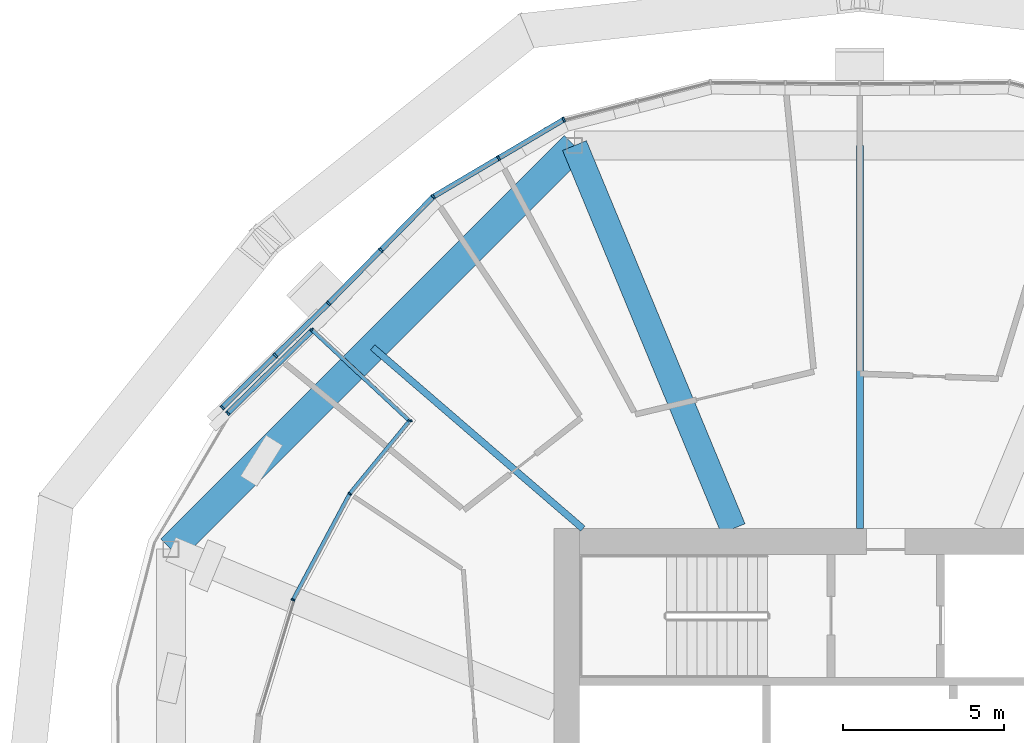
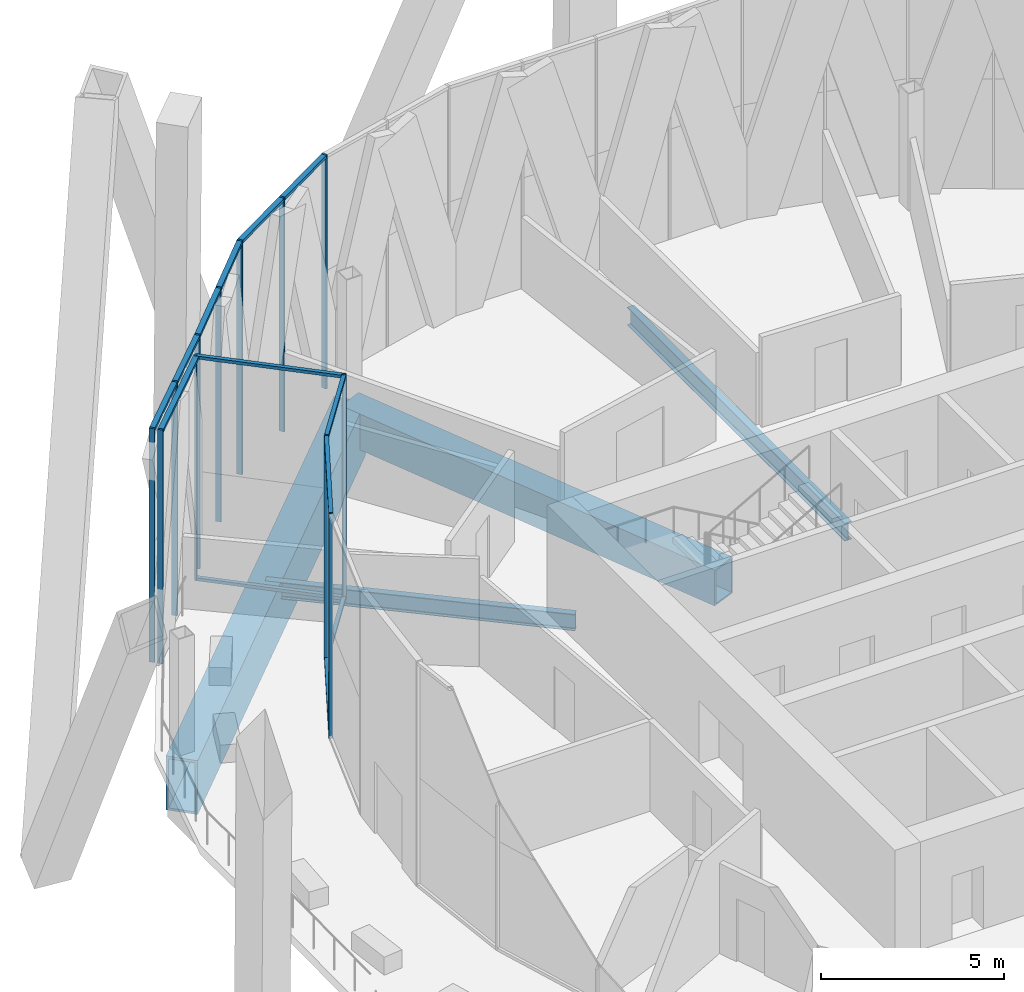
# One storey, part 7 of 30: 25 members, 4 beams, 4 elements without a shape of their own.
"""IFC4 building model written with IfcOpenShell, lengths in metres."""

from ifc_helpers import new_model, si_unit, direction, frame, origin, origin_2d, place, context, subcontext, project, spatial, rectangle, hollow_rectangle, i_section, extrude, material, material_profile, profile_set, type_object, element, aggregate, save


model = new_model("IFC4")

# Units and contexts
model_context = context("Model", 3, precision=1e-05, world=origin(), true_north=direction((0.0, 1.0)))
body_context = subcontext(model_context, "Body", "Model", "MODEL_VIEW")
ifc_project = project(units=[si_unit("LENGTHUNIT", "METRE"), si_unit("AREAUNIT", "SQUARE_METRE"), si_unit("VOLUMEUNIT", "CUBIC_METRE"), si_unit("PLANEANGLEUNIT", "RADIAN"), si_unit("MASSUNIT", "GRAM", prefix="KILO")], contexts=[model_context])

# Site, building, storey
site_placement = place(None, origin())
site = spatial("IfcSite", under=ifc_project, at=site_placement, CompositionType="ELEMENT")
building_placement = place(site_placement, origin())
building = spatial("IfcBuilding", under=site, at=building_placement, Name="Ogive Gate Towers", CompositionType="ELEMENT")
storey_placement = place(building_placement, frame((0.0, 0.0, 99.60009765625)))
storey = spatial("IfcBuildingStorey", under=building, at=storey_placement, Name="L23", CompositionType="ELEMENT", Elevation=99.60009765625)

# Beams
ifc_material_1 = material(Name="Steel SM460", Category="steel")
ifc_material_profile_1 = material_profile(ifc_material_1, hollow_rectangle(XDim=0.89990234375, YDim=1.800048828125, WallThickness=0.080078125, at=origin_2d()), Name="BX 1800x900x80")
ifc_profile_set_1 = profile_set([ifc_material_profile_1], Name="Steel SM460")
beam_type_1 = type_object("IfcBeamType", Name="Edge girder BX 1800x900x80", PredefinedType="BEAM", material=ifc_profile_set_1)
beam_1_placement = place(storey_placement, frame((-44.863037109375, 21.39697265625, -1.2001953125), z_axis=(-0.707106781187, -0.707106781187, 0.0), x_axis=(0.707106781187, -0.707106781187, 0.0)))
element("IfcBeam", 1, at=beam_1_placement, inside=storey, type_object=beam_type_1, Name="T1/L23/SBM023", PredefinedType="BEAM", context=body_context, shape_type="SweptSolid", body=[
    extrude(hollow_rectangle(XDim=0.89990234375, YDim=1.800048828125, WallThickness=0.080078125, at=origin_2d()), origin(), (0.0, 0.0, 1.0), 17.7255859375),
])
ifc_material_2 = material(Name="Steel SM355", Category="steel")
ifc_material_profile_2 = material_profile(ifc_material_2, i_section(OverallWidth=0.2099609375, OverallDepth=0.550048828125, WebThickness=0.010986328125, FlangeThickness=0.01708984375, FilletRadius=0.02392578125, at=origin_2d()), Name="IPE 550")
ifc_profile_set_2 = profile_set([ifc_material_profile_2], Name="Steel SM355")
beam_type_2 = type_object("IfcBeamType", Name="Radial floor beam IPE 550", PredefinedType="BEAM", material=ifc_profile_set_2)
beam_2_placement = place(storey_placement, frame((-44.60009765625, 9.5, -0.5751953125), z_axis=(-0.757366499315, 0.652990034928, 0.0), x_axis=(-0.652990034928, -0.757366499315, 0.0)))
element("IfcBeam", 2, at=beam_2_placement, inside=storey, type_object=beam_type_2, Name="T1/L23/SBM014", PredefinedType="BEAM", context=body_context, shape_type="SweptSolid", body=[
    extrude(i_section(OverallWidth=0.2099609375, OverallDepth=0.550048828125, WebThickness=0.010986328125, FlangeThickness=0.01708984375, FilletRadius=0.02392578125, at=origin_2d()), origin(), (0.0, 0.0, 1.0), 8.62158203125),
])
ifc_material_profile_3 = material_profile(ifc_material_2, i_section(OverallWidth=0.219970703125, OverallDepth=0.60009765625, WebThickness=0.011962890625, FlangeThickness=0.01904296875, FilletRadius=0.02392578125, at=origin_2d()), Name="IPE 600")
ifc_profile_set_3 = profile_set([ifc_material_profile_3], Name="Steel SM355")
beam_type_3 = type_object("IfcBeamType", Name="Radial floor beam IPE 600", PredefinedType="BEAM", material=ifc_profile_set_3)
beam_3_placement = place(storey_placement, frame((-36.0, 9.5, -0.60009765625), z_axis=(0.0, 1.0, 0.0), x_axis=(-1.0, 0.0, 0.0)))
element("IfcBeam", 3, at=beam_3_placement, inside=storey, type_object=beam_type_3, Name="T1/L23/SBM012", PredefinedType="BEAM", context=body_context, shape_type="SweptSolid", body=[
    extrude(i_section(OverallWidth=0.219970703125, OverallDepth=0.60009765625, WebThickness=0.011962890625, FlangeThickness=0.01904296875, FilletRadius=0.02392578125, at=origin_2d()), origin(), (0.0, 0.0, 1.0), 11.89697265625),
])

# Curtain wall, members
ifc_material_3 = material(Name="Pale metal aluminium", Category="aluminium")
curtain_wall_type_1 = type_object("IfcCurtainWallType", Name="Sky garden glazing", PredefinedType="NOTDEFINED", material=ifc_material_3)
curtain_wall_1_placement = place(storey_placement, origin())
curtain_wall_1 = element("IfcCurtainWall", 4, at=curtain_wall_1_placement, inside=storey, type_object=curtain_wall_type_1, Name="CW4 T1 ECW01", PredefinedType="NOTDEFINED")
ifc_material_profile_4 = material_profile(ifc_material_3, rectangle(XDim=0.1201171875, YDim=0.050048828125, at=origin_2d()), Name="50 x 120 aluminium box")
ifc_profile_set_4 = profile_set([ifc_material_profile_4], Name="Pale metal aluminium")
member_type_1 = type_object("IfcMemberType", Name="Sky garden glazing mullion 50 x 120", PredefinedType="MULLION", material=ifc_profile_set_4)
member_1_placement = place(storey_placement, frame((-53.600341796875, 7.290283203125, 0.0), z_axis=(0.0, 0.0, 1.0), x_axis=(0.923879532511, -0.382683432365, 0.0)))
member_1 = element("IfcMember", 5, at=member_1_placement, type_object=member_type_1, Name="CW4 mullion", PredefinedType="MULLION", context=body_context, shape_type="SweptSolid", body=[
    extrude(rectangle(XDim=0.1201171875, YDim=0.050048828125, at=origin_2d()), origin(), (0.0, 0.0, 1.0), 7.5),
])
member_2_placement = place(storey_placement, frame((-51.83984375, 10.583984375, 0.0), z_axis=(0.0, 0.0, 1.0), x_axis=(0.831469612303, -0.55557023302, 0.0)))
member_2 = element("IfcMember", 6, at=member_2_placement, type_object=member_type_1, Name="CW4 mullion", PredefinedType="MULLION", context=body_context, shape_type="SweptSolid", body=[
    extrude(rectangle(XDim=0.1201171875, YDim=0.050048828125, at=origin_2d()), origin(), (0.0, 0.0, 1.0), 7.5),
])
member_3_placement = place(storey_placement, frame((-49.967529296875, 12.848388671875, 0.0), z_axis=(0.0, 0.0, 1.0), x_axis=(0.997787566035, 0.066482877996, 0.0)))
member_3 = element("IfcMember", 7, at=member_3_placement, type_object=member_type_1, Name="CW4 mullion", PredefinedType="MULLION", context=body_context, shape_type="SweptSolid", body=[
    extrude(rectangle(XDim=0.1201171875, YDim=0.050048828125, at=origin_2d()), origin(), (0.0, 0.0, 1.0), 7.5),
])
member_4_placement = place(storey_placement, frame((-53.016357421875, 15.676513671875, 0.0), z_axis=(0.0, 0.0, 1.0), x_axis=(0.681998360062, 0.731353701619, 0.0)))
member_4 = element("IfcMember", 8, at=member_4_placement, type_object=member_type_1, Name="CW4 mullion", PredefinedType="MULLION", context=body_context, shape_type="SweptSolid", body=[
    extrude(rectangle(XDim=0.1201171875, YDim=0.050048828125, at=origin_2d()), origin(), (0.0, 0.0, 1.0), 7.5),
])
ifc_material_profile_5 = material_profile(ifc_material_3, rectangle(XDim=0.1201171875, YDim=0.10009765625, at=origin_2d()), Name="100 x 120 aluminium box")
ifc_profile_set_5 = profile_set([ifc_material_profile_5], Name="Pale metal aluminium")
member_type_2 = type_object("IfcMemberType", Name="Sky garden glazing transom 100 x 120", PredefinedType="USERDEFINED", material=ifc_profile_set_5)
member_5_placement = place(storey_placement, frame((-53.5869140625, 7.31591796875, 7.449951171875), z_axis=(0.471377271187, 0.881931668673, 0.0), x_axis=(-0.881931668673, 0.471377271187, 0.0)))
member_5 = element("IfcMember", 9, at=member_5_placement, type_object=member_type_2, Name="CW4 transom", ObjectType="TRANSOM", PredefinedType="USERDEFINED", context=body_context, shape_type="SweptSolid", body=[
    extrude(rectangle(XDim=0.1201171875, YDim=0.10009765625, at=origin_2d()), origin(), (0.0, 0.0, 1.0), 3.6767578125),
])
member_6_placement = place(storey_placement, frame((-53.5869140625, 7.31591796875, 0.0498046875), z_axis=(0.471377271187, 0.881931668673, 0.0), x_axis=(-0.881931668673, 0.471377271187, 0.0)))
member_6 = element("IfcMember", 10, at=member_6_placement, type_object=member_type_2, Name="CW4 transom", ObjectType="TRANSOM", PredefinedType="USERDEFINED", context=body_context, shape_type="SweptSolid", body=[
    extrude(rectangle(XDim=0.1201171875, YDim=0.10009765625, at=origin_2d()), origin(), (0.0, 0.0, 1.0), 3.6767578125),
])
member_7_placement = place(storey_placement, frame((-51.82177734375, 10.6064453125, 7.449951171875), z_axis=(0.634401412295, 0.773003782706, 0.0), x_axis=(-0.773003782706, 0.634401412295, 0.0)))
member_7 = element("IfcMember", 11, at=member_7_placement, type_object=member_type_2, Name="CW4 transom", ObjectType="TRANSOM", PredefinedType="USERDEFINED", context=body_context, shape_type="SweptSolid", body=[
    extrude(rectangle(XDim=0.1201171875, YDim=0.10009765625, at=origin_2d()), origin(), (0.0, 0.0, 1.0), 2.91162109375),
])
member_8_placement = place(storey_placement, frame((-51.82177734375, 10.6064453125, 0.0498046875), z_axis=(0.634401412295, 0.773003782706, 0.0), x_axis=(-0.773003782706, 0.634401412295, 0.0)))
member_8 = element("IfcMember", 12, at=member_8_placement, type_object=member_type_2, Name="CW4 transom", ObjectType="TRANSOM", PredefinedType="USERDEFINED", context=body_context, shape_type="SweptSolid", body=[
    extrude(rectangle(XDim=0.1201171875, YDim=0.10009765625, at=origin_2d()), origin(), (0.0, 0.0, 1.0), 2.91162109375),
])
member_9_placement = place(storey_placement, frame((-49.973388671875, 12.8388671875, 7.449951171875), z_axis=(-0.731351622914, 0.682000589194, 0.0), x_axis=(-0.682000589194, -0.731351622914, 0.0)))
member_9 = element("IfcMember", 13, at=member_9_placement, type_object=member_type_2, Name="CW4 transom", ObjectType="TRANSOM", PredefinedType="USERDEFINED", context=body_context, shape_type="SweptSolid", body=[
    extrude(rectangle(XDim=0.1201171875, YDim=0.10009765625, at=origin_2d()), origin(), (0.0, 0.0, 1.0), 4.1357421875),
])
member_10_placement = place(storey_placement, frame((-49.973388671875, 12.8388671875, 0.0498046875), z_axis=(-0.731351622914, 0.682000589194, 0.0), x_axis=(-0.682000589194, -0.731351622914, 0.0)))
member_10 = element("IfcMember", 14, at=member_10_placement, type_object=member_type_2, Name="CW4 transom", ObjectType="TRANSOM", PredefinedType="USERDEFINED", context=body_context, shape_type="SweptSolid", body=[
    extrude(rectangle(XDim=0.1201171875, YDim=0.10009765625, at=origin_2d()), origin(), (0.0, 0.0, 1.0), 4.1357421875),
])
aggregate(curtain_wall_1, [member_1, member_2, member_5, member_6, member_3, member_7, member_8, member_4, member_9, member_10])

curtain_wall_type_2 = type_object("IfcCurtainWallType", Name="Tower unitised wall, low zone", PredefinedType="NOTDEFINED", material=ifc_material_3)
curtain_wall_2_placement = place(storey_placement, origin())
curtain_wall_2 = element("IfcCurtainWall", 15, at=curtain_wall_2_placement, inside=storey, type_object=curtain_wall_type_2, Name="CW1 T1 ECW05", PredefinedType="NOTDEFINED")
ifc_material_profile_6 = material_profile(ifc_material_3, rectangle(XDim=0.159912109375, YDim=0.06005859375, at=origin_2d()), Name="60 x 160 aluminium box")
ifc_profile_set_6 = profile_set([ifc_material_profile_6], Name="Pale metal aluminium")
member_type_3 = type_object("IfcMemberType", Name="Tower unitised wall, low zone mullion 60 x 160", PredefinedType="MULLION", material=ifc_profile_set_6)
member_11_placement = place(storey_placement, frame((-52.4970703125, 16.49658203125, -0.300048828125), z_axis=(0.0, 0.0, 1.0), x_axis=(0.713849613797, -0.700299028189, 0.0)))
member_11 = element("IfcMember", 16, at=member_11_placement, type_object=member_type_3, Name="CW1 mullion", PredefinedType="MULLION", context=body_context, shape_type="SweptSolid", body=[
    extrude(rectangle(XDim=0.159912109375, YDim=0.06005859375, at=origin_2d()), origin(), (0.0, 0.0, 1.0), 7.800048828125),
])
member_12_placement = place(storey_placement, frame((-50.873046875, 18.152099609375, -0.300048828125), z_axis=(0.0, 0.0, 1.0), x_axis=(0.713849613797, -0.700299028189, 0.0)))
member_12 = element("IfcMember", 17, at=member_12_placement, type_object=member_type_3, Name="CW1 mullion", PredefinedType="MULLION", context=body_context, shape_type="SweptSolid", body=[
    extrude(rectangle(XDim=0.159912109375, YDim=0.06005859375, at=origin_2d()), origin(), (0.0, 0.0, 1.0), 7.800048828125),
])
member_13_placement = place(storey_placement, frame((-49.2470703125, 19.809326171875, -0.300048828125), z_axis=(0.0, 0.0, 1.0), x_axis=(0.616458855912, -0.787387121413, 0.0)))
member_13 = element("IfcMember", 18, at=member_13_placement, type_object=member_type_3, Name="CW1 mullion", PredefinedType="MULLION", context=body_context, shape_type="SweptSolid", body=[
    extrude(rectangle(XDim=0.159912109375, YDim=0.06005859375, at=origin_2d()), origin(), (0.0, 0.0, 1.0), 7.800048828125),
])
member_14_placement = place(storey_placement, frame((-47.221923828125, 21.005615234375, -0.300048828125), z_axis=(0.0, 0.0, 1.0), x_axis=(0.508545579527, -0.86103507103, 0.0)))
member_14 = element("IfcMember", 19, at=member_14_placement, type_object=member_type_3, Name="CW1 mullion", PredefinedType="MULLION", context=body_context, shape_type="SweptSolid", body=[
    extrude(rectangle(XDim=0.159912109375, YDim=0.06005859375, at=origin_2d()), origin(), (0.0, 0.0, 1.0), 7.800048828125),
])
member_15_placement = place(storey_placement, frame((-45.1962890625, 22.201904296875, -0.300048828125), z_axis=(0.0, 0.0, 1.0), x_axis=(0.382683432365, -0.923879532511, 0.0)))
member_15 = element("IfcMember", 20, at=member_15_placement, type_object=member_type_3, Name="CW1 mullion", PredefinedType="MULLION", context=body_context, shape_type="SweptSolid", body=[
    extrude(rectangle(XDim=0.159912109375, YDim=0.06005859375, at=origin_2d()), origin(), (0.0, 0.0, 1.0), 7.800048828125),
])

# Curtain wall, member
curtain_wall_3_placement = place(storey_placement, origin())
curtain_wall_3 = element("IfcCurtainWall", 21, at=curtain_wall_3_placement, inside=storey, type_object=curtain_wall_type_2, Name="CW1 T1 ECW06", PredefinedType="NOTDEFINED")
member_16_placement = place(storey_placement, frame((-55.630126953125, 13.0869140625, -0.300048828125), z_axis=(0.0, 0.0, 1.0), x_axis=(-0.700286569056, 0.713861836212, 0.0)))
member_16 = element("IfcMember", 22, at=member_16_placement, type_object=member_type_3, Name="CW1 mullion", PredefinedType="MULLION", context=body_context, shape_type="SweptSolid", body=[
    extrude(rectangle(XDim=0.159912109375, YDim=0.06005859375, at=origin_2d()), origin(), (0.0, 0.0, 1.0), 7.800048828125),
])

# Curtain wall, members
curtain_wall_4_placement = place(storey_placement, origin())
curtain_wall_4 = element("IfcCurtainWall", 23, at=curtain_wall_4_placement, inside=storey, type_object=curtain_wall_type_2, Name="CW1 T1 ECW06b", PredefinedType="NOTDEFINED")
member_17_placement = place(storey_placement, frame((-55.798095703125, 13.25830078125, -0.300048828125), z_axis=(0.0, 0.0, 1.0), x_axis=(0.70026165015, -0.71388628039, 0.0)))
member_17 = element("IfcMember", 24, at=member_17_placement, type_object=member_type_3, Name="CW1 mullion", PredefinedType="MULLION", context=body_context, shape_type="SweptSolid", body=[
    extrude(rectangle(XDim=0.159912109375, YDim=0.06005859375, at=origin_2d()), origin(), (0.0, 0.0, 1.0), 7.800048828125),
])
member_18_placement = place(storey_placement, frame((-54.1474609375, 14.877685546875, -0.300048828125), z_axis=(0.0, 0.0, 1.0), x_axis=(0.700286569056, -0.713861836212, 0.0)))
member_18 = element("IfcMember", 25, at=member_18_placement, type_object=member_type_3, Name="CW1 mullion", PredefinedType="MULLION", context=body_context, shape_type="SweptSolid", body=[
    extrude(rectangle(XDim=0.159912109375, YDim=0.06005859375, at=origin_2d()), origin(), (0.0, 0.0, 1.0), 7.800048828125),
])

# Member
ifc_material_profile_7 = material_profile(ifc_material_3, rectangle(XDim=0.159912109375, YDim=0.10009765625, at=origin_2d()), Name="100 x 160 aluminium box")
ifc_profile_set_7 = profile_set([ifc_material_profile_7], Name="Pale metal aluminium")
member_type_4 = type_object("IfcMemberType", Name="Tower unitised wall, low zone transom 100 x 160", PredefinedType="USERDEFINED", material=ifc_profile_set_7)
member_19_placement = place(storey_placement, frame((-52.47607421875, 16.51806640625, 7.449951171875), z_axis=(0.700319890129, 0.713829147269, 0.0), x_axis=(-0.713829147269, 0.700319890129, 0.0)))
member_19 = element("IfcMember", 26, at=member_19_placement, type_object=member_type_4, Name="CW1 transom", ObjectType="TRANSOM", PredefinedType="USERDEFINED", context=body_context, shape_type="SweptSolid", body=[
    extrude(rectangle(XDim=0.159912109375, YDim=0.10009765625, at=origin_2d()), origin(), (0.0, 0.0, 1.0), 2.259033203125),
])

member_20_placement = place(storey_placement, frame((-50.85205078125, 18.173583984375, 7.449951171875), z_axis=(0.700319890129, 0.713829147269, 0.0), x_axis=(-0.713829147269, 0.700319890129, 0.0)))
member_20 = element("IfcMember", 27, at=member_20_placement, type_object=member_type_4, Name="CW1 transom", ObjectType="TRANSOM", PredefinedType="USERDEFINED", context=body_context, shape_type="SweptSolid", body=[
    extrude(rectangle(XDim=0.159912109375, YDim=0.10009765625, at=origin_2d()), origin(), (0.0, 0.0, 1.0), 2.259033203125),
])

member_21_placement = place(storey_placement, frame((-49.218994140625, 19.826171875, 7.449951171875), z_axis=(0.861019926697, 0.508571220017, 0.0), x_axis=(-0.508571220017, 0.861019926697, 0.0)))
member_21 = element("IfcMember", 28, at=member_21_placement, type_object=member_type_4, Name="CW1 transom", ObjectType="TRANSOM", PredefinedType="USERDEFINED", context=body_context, shape_type="SweptSolid", body=[
    extrude(rectangle(XDim=0.159912109375, YDim=0.10009765625, at=origin_2d()), origin(), (0.0, 0.0, 1.0), 2.289306640625),
])

member_22_placement = place(storey_placement, frame((-47.196044921875, 21.02099609375, 7.449951171875), z_axis=(0.861047505043, 0.508524526508, 0.0), x_axis=(-0.508524526508, 0.861047505043, 0.0)))
member_22 = element("IfcMember", 29, at=member_22_placement, type_object=member_type_4, Name="CW1 transom", ObjectType="TRANSOM", PredefinedType="USERDEFINED", context=body_context, shape_type="SweptSolid", body=[
    extrude(rectangle(XDim=0.159912109375, YDim=0.10009765625, at=origin_2d()), origin(), (0.0, 0.0, 1.0), 2.28955078125),
])

aggregate(curtain_wall_2, [member_11, member_12, member_19, member_13, member_20, member_14, member_21, member_15, member_22])

member_23_placement = place(storey_placement, frame((-52.996337890625, 15.67041015625, 7.449951171875), z_axis=(-0.713879237695, -0.700268829799, 0.0), x_axis=(0.700268829799, -0.713879237695, 0.0)))
member_23 = element("IfcMember", 30, at=member_23_placement, type_object=member_type_4, Name="CW1 transom", ObjectType="TRANSOM", PredefinedType="USERDEFINED", context=body_context, shape_type="SweptSolid", body=[
    extrude(rectangle(XDim=0.159912109375, YDim=0.10009765625, at=origin_2d()), origin(), (0.0, 0.0, 1.0), 3.659423828125),
])

aggregate(curtain_wall_3, [member_16, member_23])

member_24_placement = place(storey_placement, frame((-55.77685546875, 13.279296875, 7.449951171875), z_axis=(0.713901780326, 0.70024584829, 0.0), x_axis=(-0.70024584829, 0.713901780326, 0.0)))
member_24 = element("IfcMember", 31, at=member_24_placement, type_object=member_type_4, Name="CW1 transom", ObjectType="TRANSOM", PredefinedType="USERDEFINED", context=body_context, shape_type="SweptSolid", body=[
    extrude(rectangle(XDim=0.159912109375, YDim=0.10009765625, at=origin_2d()), origin(), (0.0, 0.0, 1.0), 2.252685546875),
])

member_25_placement = place(storey_placement, frame((-54.1259765625, 14.898681640625, 7.449951171875), z_axis=(0.713848630446, 0.700300030566, 0.0), x_axis=(-0.700300030566, 0.713848630446, 0.0)))
member_25 = element("IfcMember", 32, at=member_25_placement, type_object=member_type_4, Name="CW1 transom", ObjectType="TRANSOM", PredefinedType="USERDEFINED", context=body_context, shape_type="SweptSolid", body=[
    extrude(rectangle(XDim=0.159912109375, YDim=0.10009765625, at=origin_2d()), origin(), (0.0, 0.0, 1.0), 2.25244140625),
])

aggregate(curtain_wall_4, [member_17, member_18, member_24, member_25])

# Beam
ifc_material_profile_8 = material_profile(ifc_material_1, hollow_rectangle(XDim=0.800048828125, YDim=1.199951171875, WallThickness=0.050048828125, at=origin_2d()), Name="BX 1200x800x50")
ifc_profile_set_8 = profile_set([ifc_material_profile_8], Name="Steel SM460")
beam_type_4 = type_object("IfcBeamType", Name="Transfer radial beam BX 1200x800x50", PredefinedType="BEAM", material=ifc_profile_set_8)
beam_4_placement = place(storey_placement, frame((-39.93505859375, 9.5, -0.900146484375), z_axis=(-0.382689470177, 0.923877031545, 0.0), x_axis=(-0.923877031545, -0.382689470177, 0.0)))
element("IfcBeam", 33, at=beam_4_placement, inside=storey, type_object=beam_type_4, Name="T1/L23/SBM013", PredefinedType="BEAM", context=body_context, shape_type="SweptSolid", body=[
    extrude(hollow_rectangle(XDim=0.800048828125, YDim=1.199951171875, WallThickness=0.050048828125, at=origin_2d()), origin(), (0.0, 0.0, 1.0), 12.877197265625),
])

save(model, "model.ifc")
